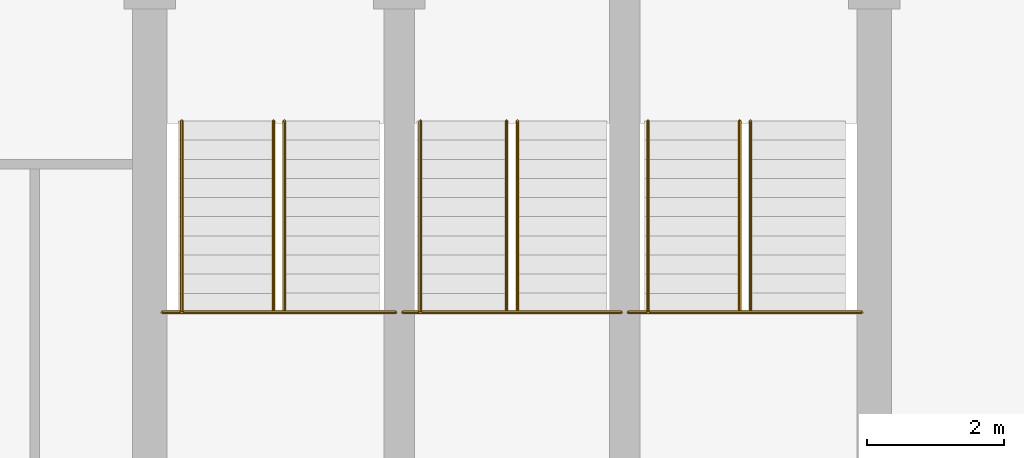
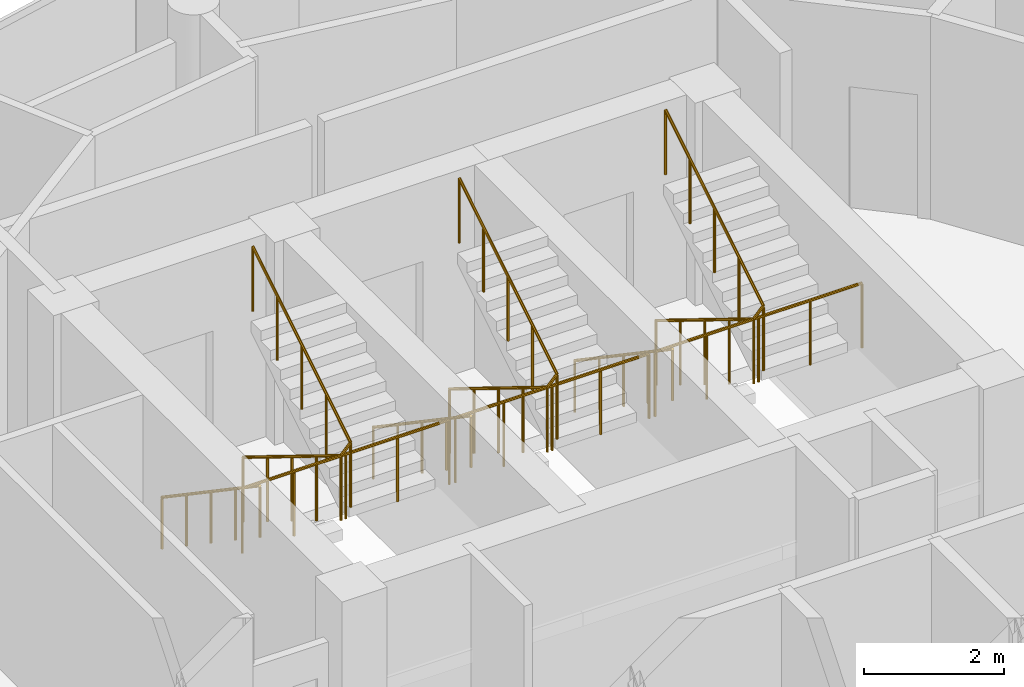
# One storey, part 24 of 24: 9 railings.
"""IFC4 building model written with IfcOpenShell, lengths in metres."""

from ifc_helpers import new_model, si_unit, direction, frame, origin, place, context, subcontext, project, spatial, polyline, outline, extrude, material, type_object, element, save


model = new_model("IFC4")

# Units and contexts
model_context = context("Model", 3, precision=1e-05, world=origin(), true_north=direction((0.0, 1.0)))
body_context = subcontext(model_context, "Body", "Model", "MODEL_VIEW")
ifc_project = project(units=[si_unit("LENGTHUNIT", "METRE"), si_unit("AREAUNIT", "SQUARE_METRE"), si_unit("VOLUMEUNIT", "CUBIC_METRE"), si_unit("PLANEANGLEUNIT", "RADIAN"), si_unit("MASSUNIT", "GRAM", prefix="KILO")], contexts=[model_context])

# Site, building, storey
site_placement = place(None, origin())
site = spatial("IfcSite", under=ifc_project, at=site_placement, CompositionType="ELEMENT")
building_placement = place(site_placement, origin())
building = spatial("IfcBuilding", under=site, at=building_placement, Name="Nuhasar Tower", CompositionType="ELEMENT")
storey_placement = place(building_placement, frame((0.0, 0.0, 267.0)))
storey = spatial("IfcBuildingStorey", under=building, at=storey_placement, Name="L66", CompositionType="ELEMENT", Elevation=267.0)

# Railings
ifc_material_1 = material(Name="Steel S355", Category="steel")
railing_type_1 = type_object("IfcRailingType", Name="RLG-STAIR-GUARD-1150", PredefinedType="GUARDRAIL", material=ifc_material_1)
railing_1_placement = place(storey_placement, frame((33.8798828125, 32.485107421875, 1.89990234375)))
element("IfcRailing", 1, at=railing_1_placement, inside=storey, type_object=railing_type_1, Name="L66 Stair ST-01 Guardrail LND", PredefinedType="GUARDRAIL", context=body_context, shape_type="SweptSolid", body=[
    extrude(outline(polyline([(0.024169921875, 0.0), (0.01708984375, 0.01708984375), (0.0, 0.024169921875), (-0.01708984375, 0.01708984375), (-0.024169921875, 0.0), (-0.01708984375, -0.01708984375), (0.0, -0.024169921875), (0.01708984375, -0.01708984375), (0.024169921875, 0.0)])), frame((0.0, 0.0, 1.1259765625), z_axis=(1.0, 0.0, 0.0), x_axis=(0.0, 1.0, 0.0)), (0.0, 0.0, 1.0), 3.420166015625),
    extrude(outline(polyline([(0.02099609375, 0.0), (0.014892578125, 0.014892578125), (0.0, 0.02099609375), (-0.014892578125, 0.014892578125), (-0.02099609375, 0.0), (-0.014892578125, -0.014892578125), (0.0, -0.02099609375), (0.014892578125, -0.014892578125), (0.02099609375, 0.0)])), origin(), (0.0, 0.0, 1.0), 1.101806640625),
    extrude(outline(polyline([(0.02099609375, 0.0), (0.014892578125, 0.014892578125), (0.0, 0.02099609375), (-0.014892578125, 0.014892578125), (-0.02099609375, 0.0), (-0.014892578125, -0.014892578125), (0.0, -0.02099609375), (0.014892578125, -0.014892578125), (0.02099609375, 0.0)])), frame((0.85498046875, 0.0, 0.0)), (0.0, 0.0, 1.0), 1.101806640625),
    extrude(outline(polyline([(0.02099609375, 0.0), (0.014892578125, 0.014892578125), (0.0, 0.02099609375), (-0.014892578125, 0.014892578125), (-0.02099609375, 0.0), (-0.014892578125, -0.014892578125), (0.0, -0.02099609375), (0.014892578125, -0.014892578125), (0.02099609375, 0.0)])), frame((1.7099609375, 0.0, 0.0)), (0.0, 0.0, 1.0), 1.101806640625),
    extrude(outline(polyline([(0.02099609375, 0.0), (0.014892578125, 0.014892578125), (0.0, 0.02099609375), (-0.014892578125, 0.014892578125), (-0.02099609375, 0.0), (-0.014892578125, -0.014892578125), (0.0, -0.02099609375), (0.014892578125, -0.014892578125), (0.02099609375, 0.0)])), frame((2.565185546875, 0.0, 0.0)), (0.0, 0.0, 1.0), 1.101806640625),
    extrude(outline(polyline([(0.02099609375, 0.0), (0.014892578125, 0.014892578125), (0.0, 0.02099609375), (-0.014892578125, 0.014892578125), (-0.02099609375, 0.0), (-0.014892578125, -0.014892578125), (0.0, -0.02099609375), (0.014892578125, -0.014892578125), (0.02099609375, 0.0)])), frame((3.420166015625, 0.0, 0.0)), (0.0, 0.0, 1.0), 1.101806640625),
])
railing_2_placement = place(storey_placement, frame((35.510009765625, 35.284912109375, 0.173095703125)))
element("IfcRailing", 2, at=railing_2_placement, inside=storey, type_object=railing_type_1, Name="L66 Stair ST-01 Guardrail SLT", PredefinedType="GUARDRAIL", context=body_context, shape_type="SweptSolid", body=[
    extrude(outline(polyline([(0.024169921875, 0.0), (0.01708984375, 0.01708984375), (0.0, 0.024169921875), (-0.01708984375, 0.01708984375), (-0.024169921875, 0.0), (-0.01708984375, -0.01708984375), (0.0, -0.024169921875), (0.01708984375, -0.01708984375), (0.024169921875, 0.0)])), frame((0.0, 0.0, 1.1259765625), z_axis=(0.0, -0.851135498715, 0.524946057064), x_axis=(1.0, 0.0, 0.0)), (0.0, 0.0, 1.0), 3.28955078125),
    extrude(outline(polyline([(0.024169921875, 0.0), (0.01708984375, 0.01708984375), (0.0, 0.024169921875), (-0.01708984375, 0.01708984375), (-0.024169921875, 0.0), (-0.01708984375, -0.01708984375), (0.0, -0.024169921875), (0.01708984375, -0.01708984375), (0.024169921875, 0.0)])), frame((0.0, -2.7998046875, 2.8525390625), z_axis=(0.678581247581, 0.0, 0.734525350435), x_axis=(0.0, 1.0, 0.0)), (0.0, 0.0, 1.0), 0.235595703125),
    extrude(outline(polyline([(0.024169921875, 0.0), (0.01708984375, 0.01708984375), (0.0, 0.024169921875), (-0.01708984375, 0.01708984375), (-0.024169921875, 0.0), (-0.01708984375, -0.01708984375), (0.0, -0.024169921875), (0.01708984375, -0.01708984375), (0.024169921875, 0.0)])), frame((0.159912109375, -2.7998046875, 3.02587890625), z_axis=(0.0, 0.851102337555, 0.524999820009), x_axis=(-1.0, 0.0, 0.0)), (0.0, 0.0, 1.0), 3.28955078125),
    extrude(outline(polyline([(0.02099609375, 0.0), (0.014892578125, 0.014892578125), (0.0, 0.02099609375), (-0.014892578125, 0.014892578125), (-0.02099609375, 0.0), (-0.014892578125, -0.014892578125), (0.0, -0.02099609375), (0.014892578125, -0.014892578125), (0.02099609375, 0.0)])), origin(), (0.0, 0.0, 1.0), 1.101806640625),
    extrude(outline(polyline([(0.02099609375, 0.0), (0.014892578125, 0.014892578125), (0.0, 0.02099609375), (-0.014892578125, 0.014892578125), (-0.02099609375, 0.0), (-0.014892578125, -0.014892578125), (0.0, -0.02099609375), (0.014892578125, -0.014892578125), (0.02099609375, 0.0)])), frame((0.0, -0.699951171875, 0.431640625)), (0.0, 0.0, 1.0), 1.101806640625),
    extrude(outline(polyline([(0.02099609375, 0.0), (0.014892578125, 0.014892578125), (0.0, 0.02099609375), (-0.014892578125, 0.014892578125), (-0.02099609375, 0.0), (-0.014892578125, -0.014892578125), (0.0, -0.02099609375), (0.014892578125, -0.014892578125), (0.02099609375, 0.0)])), frame((0.0, -1.39990234375, 0.86328125)), (0.0, 0.0, 1.0), 1.101806640625),
    extrude(outline(polyline([(0.02099609375, 0.0), (0.014892578125, 0.014892578125), (0.0, 0.02099609375), (-0.014892578125, 0.014892578125), (-0.02099609375, 0.0), (-0.014892578125, -0.014892578125), (0.0, -0.02099609375), (0.014892578125, -0.014892578125), (0.02099609375, 0.0)])), frame((0.0, -2.099853515625, 1.295166015625)), (0.0, 0.0, 1.0), 1.101806640625),
    extrude(outline(polyline([(0.02099609375, 0.0), (0.014892578125, 0.014892578125), (0.0, 0.02099609375), (-0.014892578125, 0.014892578125), (-0.02099609375, 0.0), (-0.014892578125, -0.014892578125), (0.0, -0.02099609375), (0.014892578125, -0.014892578125), (0.02099609375, 0.0)])), frame((0.0, -2.7998046875, 1.726806640625)), (0.0, 0.0, 1.0), 1.101806640625),
    extrude(outline(polyline([(0.02099609375, 0.0), (0.014892578125, 0.014892578125), (0.0, 0.02099609375), (-0.014892578125, 0.014892578125), (-0.02099609375, 0.0), (-0.014892578125, -0.014892578125), (0.0, -0.02099609375), (0.014892578125, -0.014892578125), (0.02099609375, 0.0)])), frame((0.159912109375, -2.7998046875, 1.89990234375)), (0.0, 0.0, 1.0), 1.101806640625),
    extrude(outline(polyline([(0.02099609375, 0.0), (0.014892578125, 0.014892578125), (0.0, 0.02099609375), (-0.014892578125, 0.014892578125), (-0.02099609375, 0.0), (-0.014892578125, -0.014892578125), (0.0, -0.02099609375), (0.014892578125, -0.014892578125), (0.02099609375, 0.0)])), frame((0.159912109375, -2.099853515625, 2.33154296875)), (0.0, 0.0, 1.0), 1.101806640625),
    extrude(outline(polyline([(0.02099609375, 0.0), (0.014892578125, 0.014892578125), (0.0, 0.02099609375), (-0.014892578125, 0.014892578125), (-0.02099609375, 0.0), (-0.014892578125, -0.014892578125), (0.0, -0.02099609375), (0.014892578125, -0.014892578125), (0.02099609375, 0.0)])), frame((0.159912109375, -1.39990234375, 2.763427734375)), (0.0, 0.0, 1.0), 1.101806640625),
    extrude(outline(polyline([(0.02099609375, 0.0), (0.014892578125, 0.014892578125), (0.0, 0.02099609375), (-0.014892578125, 0.014892578125), (-0.02099609375, 0.0), (-0.014892578125, -0.014892578125), (0.0, -0.02099609375), (0.014892578125, -0.014892578125), (0.02099609375, 0.0)])), frame((0.159912109375, -0.699951171875, 3.1953125)), (0.0, 0.0, 1.0), 1.101806640625),
    extrude(outline(polyline([(0.02099609375, 0.0), (0.014892578125, 0.014892578125), (0.0, 0.02099609375), (-0.014892578125, 0.014892578125), (-0.02099609375, 0.0), (-0.014892578125, -0.014892578125), (0.0, -0.02099609375), (0.014892578125, -0.014892578125), (0.02099609375, 0.0)])), frame((0.159912109375, 0.0, 3.626953125)), (0.0, 0.0, 1.0), 1.101806640625),
])
railing_3_placement = place(storey_placement, frame((37.39990234375, 32.485107421875, 1.89990234375)))
element("IfcRailing", 3, at=railing_3_placement, inside=storey, type_object=railing_type_1, Name="L66 Stair ST-03 Guardrail LND", PredefinedType="GUARDRAIL", context=body_context, shape_type="SweptSolid", body=[
    extrude(outline(polyline([(0.024169921875, 0.0), (0.01708984375, 0.01708984375), (0.0, 0.024169921875), (-0.01708984375, 0.01708984375), (-0.024169921875, 0.0), (-0.01708984375, -0.01708984375), (0.0, -0.024169921875), (0.01708984375, -0.01708984375), (0.024169921875, 0.0)])), frame((0.0, 0.0, 1.1259765625), z_axis=(1.0, 0.0, 0.0), x_axis=(0.0, 1.0, 0.0)), (0.0, 0.0, 1.0), 3.2001953125),
    extrude(outline(polyline([(0.02099609375, 0.0), (0.014892578125, 0.014892578125), (0.0, 0.02099609375), (-0.014892578125, 0.014892578125), (-0.02099609375, 0.0), (-0.014892578125, -0.014892578125), (0.0, -0.02099609375), (0.014892578125, -0.014892578125), (0.02099609375, 0.0)])), origin(), (0.0, 0.0, 1.0), 1.101806640625),
    extrude(outline(polyline([(0.02099609375, 0.0), (0.014892578125, 0.014892578125), (0.0, 0.02099609375), (-0.014892578125, 0.014892578125), (-0.02099609375, 0.0), (-0.014892578125, -0.014892578125), (0.0, -0.02099609375), (0.014892578125, -0.014892578125), (0.02099609375, 0.0)])), frame((0.800048828125, 0.0, 0.0)), (0.0, 0.0, 1.0), 1.101806640625),
    extrude(outline(polyline([(0.02099609375, 0.0), (0.014892578125, 0.014892578125), (0.0, 0.02099609375), (-0.014892578125, 0.014892578125), (-0.02099609375, 0.0), (-0.014892578125, -0.014892578125), (0.0, -0.02099609375), (0.014892578125, -0.014892578125), (0.02099609375, 0.0)])), frame((1.60009765625, 0.0, 0.0)), (0.0, 0.0, 1.0), 1.101806640625),
    extrude(outline(polyline([(0.02099609375, 0.0), (0.014892578125, 0.014892578125), (0.0, 0.02099609375), (-0.014892578125, 0.014892578125), (-0.02099609375, 0.0), (-0.014892578125, -0.014892578125), (0.0, -0.02099609375), (0.014892578125, -0.014892578125), (0.02099609375, 0.0)])), frame((2.400146484375, 0.0, 0.0)), (0.0, 0.0, 1.0), 1.101806640625),
    extrude(outline(polyline([(0.02099609375, 0.0), (0.014892578125, 0.014892578125), (0.0, 0.02099609375), (-0.014892578125, 0.014892578125), (-0.02099609375, 0.0), (-0.014892578125, -0.014892578125), (0.0, -0.02099609375), (0.014892578125, -0.014892578125), (0.02099609375, 0.0)])), frame((3.2001953125, 0.0, 0.0)), (0.0, 0.0, 1.0), 1.101806640625),
])
railing_4_placement = place(storey_placement, frame((38.919921875, 35.284912109375, 0.173095703125)))
element("IfcRailing", 4, at=railing_4_placement, inside=storey, type_object=railing_type_1, Name="L66 Stair ST-03 Guardrail SLT", PredefinedType="GUARDRAIL", context=body_context, shape_type="SweptSolid", body=[
    extrude(outline(polyline([(0.024169921875, 0.0), (0.01708984375, 0.01708984375), (0.0, 0.024169921875), (-0.01708984375, 0.01708984375), (-0.024169921875, 0.0), (-0.01708984375, -0.01708984375), (0.0, -0.024169921875), (0.01708984375, -0.01708984375), (0.024169921875, 0.0)])), frame((0.0, 0.0, 1.1259765625), z_axis=(0.0, -0.851135498715, 0.524946057064), x_axis=(1.0, 0.0, 0.0)), (0.0, 0.0, 1.0), 3.28955078125),
    extrude(outline(polyline([(0.024169921875, 0.0), (0.01708984375, 0.01708984375), (0.0, 0.024169921875), (-0.01708984375, 0.01708984375), (-0.024169921875, 0.0), (-0.01708984375, -0.01708984375), (0.0, -0.024169921875), (0.01708984375, -0.01708984375), (0.024169921875, 0.0)])), frame((0.0, -2.7998046875, 2.8525390625), z_axis=(0.679139610055, 0.0, 0.734009121234), x_axis=(0.0, 1.0, 0.0)), (0.0, 0.0, 1.0), 0.23583984375),
    extrude(outline(polyline([(0.024169921875, 0.0), (0.01708984375, 0.01708984375), (0.0, 0.024169921875), (-0.01708984375, 0.01708984375), (-0.024169921875, 0.0), (-0.01708984375, -0.01708984375), (0.0, -0.024169921875), (0.01708984375, -0.01708984375), (0.024169921875, 0.0)])), frame((0.16015625, -2.7998046875, 3.02587890625), z_axis=(0.0, 0.851102337555, 0.524999820009), x_axis=(-1.0, 0.0, 0.0)), (0.0, 0.0, 1.0), 3.28955078125),
    extrude(outline(polyline([(0.02099609375, 0.0), (0.014892578125, 0.014892578125), (0.0, 0.02099609375), (-0.014892578125, 0.014892578125), (-0.02099609375, 0.0), (-0.014892578125, -0.014892578125), (0.0, -0.02099609375), (0.014892578125, -0.014892578125), (0.02099609375, 0.0)])), origin(), (0.0, 0.0, 1.0), 1.101806640625),
    extrude(outline(polyline([(0.02099609375, 0.0), (0.014892578125, 0.014892578125), (0.0, 0.02099609375), (-0.014892578125, 0.014892578125), (-0.02099609375, 0.0), (-0.014892578125, -0.014892578125), (0.0, -0.02099609375), (0.014892578125, -0.014892578125), (0.02099609375, 0.0)])), frame((0.0, -0.699951171875, 0.431640625)), (0.0, 0.0, 1.0), 1.101806640625),
    extrude(outline(polyline([(0.02099609375, 0.0), (0.014892578125, 0.014892578125), (0.0, 0.02099609375), (-0.014892578125, 0.014892578125), (-0.02099609375, 0.0), (-0.014892578125, -0.014892578125), (0.0, -0.02099609375), (0.014892578125, -0.014892578125), (0.02099609375, 0.0)])), frame((0.0, -1.39990234375, 0.86328125)), (0.0, 0.0, 1.0), 1.101806640625),
    extrude(outline(polyline([(0.02099609375, 0.0), (0.014892578125, 0.014892578125), (0.0, 0.02099609375), (-0.014892578125, 0.014892578125), (-0.02099609375, 0.0), (-0.014892578125, -0.014892578125), (0.0, -0.02099609375), (0.014892578125, -0.014892578125), (0.02099609375, 0.0)])), frame((0.0, -2.099853515625, 1.295166015625)), (0.0, 0.0, 1.0), 1.101806640625),
    extrude(outline(polyline([(0.02099609375, 0.0), (0.014892578125, 0.014892578125), (0.0, 0.02099609375), (-0.014892578125, 0.014892578125), (-0.02099609375, 0.0), (-0.014892578125, -0.014892578125), (0.0, -0.02099609375), (0.014892578125, -0.014892578125), (0.02099609375, 0.0)])), frame((0.0, -2.7998046875, 1.726806640625)), (0.0, 0.0, 1.0), 1.101806640625),
    extrude(outline(polyline([(0.02099609375, 0.0), (0.014892578125, 0.014892578125), (0.0, 0.02099609375), (-0.014892578125, 0.014892578125), (-0.02099609375, 0.0), (-0.014892578125, -0.014892578125), (0.0, -0.02099609375), (0.014892578125, -0.014892578125), (0.02099609375, 0.0)])), frame((0.16015625, -2.7998046875, 1.89990234375)), (0.0, 0.0, 1.0), 1.101806640625),
    extrude(outline(polyline([(0.02099609375, 0.0), (0.014892578125, 0.014892578125), (0.0, 0.02099609375), (-0.014892578125, 0.014892578125), (-0.02099609375, 0.0), (-0.014892578125, -0.014892578125), (0.0, -0.02099609375), (0.014892578125, -0.014892578125), (0.02099609375, 0.0)])), frame((0.16015625, -2.099853515625, 2.33154296875)), (0.0, 0.0, 1.0), 1.101806640625),
    extrude(outline(polyline([(0.02099609375, 0.0), (0.014892578125, 0.014892578125), (0.0, 0.02099609375), (-0.014892578125, 0.014892578125), (-0.02099609375, 0.0), (-0.014892578125, -0.014892578125), (0.0, -0.02099609375), (0.014892578125, -0.014892578125), (0.02099609375, 0.0)])), frame((0.16015625, -1.39990234375, 2.763427734375)), (0.0, 0.0, 1.0), 1.101806640625),
    extrude(outline(polyline([(0.02099609375, 0.0), (0.014892578125, 0.014892578125), (0.0, 0.02099609375), (-0.014892578125, 0.014892578125), (-0.02099609375, 0.0), (-0.014892578125, -0.014892578125), (0.0, -0.02099609375), (0.014892578125, -0.014892578125), (0.02099609375, 0.0)])), frame((0.16015625, -0.699951171875, 3.1953125)), (0.0, 0.0, 1.0), 1.101806640625),
    extrude(outline(polyline([(0.02099609375, 0.0), (0.014892578125, 0.014892578125), (0.0, 0.02099609375), (-0.014892578125, 0.014892578125), (-0.02099609375, 0.0), (-0.014892578125, -0.014892578125), (0.0, -0.02099609375), (0.014892578125, -0.014892578125), (0.02099609375, 0.0)])), frame((0.16015625, 0.0, 3.626953125)), (0.0, 0.0, 1.0), 1.101806640625),
])
railing_5_placement = place(storey_placement, frame((40.699951171875, 32.485107421875, 1.89990234375)))
element("IfcRailing", 5, at=railing_5_placement, inside=storey, type_object=railing_type_1, Name="L66 Stair ST-02 Guardrail LND", PredefinedType="GUARDRAIL", context=body_context, shape_type="SweptSolid", body=[
    extrude(outline(polyline([(0.024169921875, 0.0), (0.01708984375, 0.01708984375), (0.0, 0.024169921875), (-0.01708984375, 0.01708984375), (-0.024169921875, 0.0), (-0.01708984375, -0.01708984375), (0.0, -0.024169921875), (0.01708984375, -0.01708984375), (0.024169921875, 0.0)])), frame((0.0, 0.0, 1.1259765625), z_axis=(1.0, 0.0, 0.0), x_axis=(0.0, 1.0, 0.0)), (0.0, 0.0, 1.0), 3.420166015625),
    extrude(outline(polyline([(0.02099609375, 0.0), (0.014892578125, 0.014892578125), (0.0, 0.02099609375), (-0.014892578125, 0.014892578125), (-0.02099609375, 0.0), (-0.014892578125, -0.014892578125), (0.0, -0.02099609375), (0.014892578125, -0.014892578125), (0.02099609375, 0.0)])), origin(), (0.0, 0.0, 1.0), 1.101806640625),
    extrude(outline(polyline([(0.02099609375, 0.0), (0.014892578125, 0.014892578125), (0.0, 0.02099609375), (-0.014892578125, 0.014892578125), (-0.02099609375, 0.0), (-0.014892578125, -0.014892578125), (0.0, -0.02099609375), (0.014892578125, -0.014892578125), (0.02099609375, 0.0)])), frame((0.85498046875, 0.0, 0.0)), (0.0, 0.0, 1.0), 1.101806640625),
    extrude(outline(polyline([(0.02099609375, 0.0), (0.014892578125, 0.014892578125), (0.0, 0.02099609375), (-0.014892578125, 0.014892578125), (-0.02099609375, 0.0), (-0.014892578125, -0.014892578125), (0.0, -0.02099609375), (0.014892578125, -0.014892578125), (0.02099609375, 0.0)])), frame((1.7099609375, 0.0, 0.0)), (0.0, 0.0, 1.0), 1.101806640625),
    extrude(outline(polyline([(0.02099609375, 0.0), (0.014892578125, 0.014892578125), (0.0, 0.02099609375), (-0.014892578125, 0.014892578125), (-0.02099609375, 0.0), (-0.014892578125, -0.014892578125), (0.0, -0.02099609375), (0.014892578125, -0.014892578125), (0.02099609375, 0.0)])), frame((2.565185546875, 0.0, 0.0)), (0.0, 0.0, 1.0), 1.101806640625),
    extrude(outline(polyline([(0.02099609375, 0.0), (0.014892578125, 0.014892578125), (0.0, 0.02099609375), (-0.014892578125, 0.014892578125), (-0.02099609375, 0.0), (-0.014892578125, -0.014892578125), (0.0, -0.02099609375), (0.014892578125, -0.014892578125), (0.02099609375, 0.0)])), frame((3.420166015625, 0.0, 0.0)), (0.0, 0.0, 1.0), 1.101806640625),
])
railing_6_placement = place(storey_placement, frame((42.330078125, 35.284912109375, 0.173095703125)))
element("IfcRailing", 6, at=railing_6_placement, inside=storey, type_object=railing_type_1, Name="L66 Stair ST-02 Guardrail SLT", PredefinedType="GUARDRAIL", context=body_context, shape_type="SweptSolid", body=[
    extrude(outline(polyline([(0.024169921875, 0.0), (0.01708984375, 0.01708984375), (0.0, 0.024169921875), (-0.01708984375, 0.01708984375), (-0.024169921875, 0.0), (-0.01708984375, -0.01708984375), (0.0, -0.024169921875), (0.01708984375, -0.01708984375), (0.024169921875, 0.0)])), frame((0.0, 0.0, 1.1259765625), z_axis=(0.0, -0.851135498715, 0.524946057064), x_axis=(1.0, 0.0, 0.0)), (0.0, 0.0, 1.0), 3.28955078125),
    extrude(outline(polyline([(0.024169921875, 0.0), (0.01708984375, 0.01708984375), (0.0, 0.024169921875), (-0.01708984375, 0.01708984375), (-0.024169921875, 0.0), (-0.01708984375, -0.01708984375), (0.0, -0.024169921875), (0.01708984375, -0.01708984375), (0.024169921875, 0.0)])), frame((0.0, -2.7998046875, 2.8525390625), z_axis=(0.678581247581, 0.0, 0.734525350435), x_axis=(0.0, 1.0, 0.0)), (0.0, 0.0, 1.0), 0.235595703125),
    extrude(outline(polyline([(0.024169921875, 0.0), (0.01708984375, 0.01708984375), (0.0, 0.024169921875), (-0.01708984375, 0.01708984375), (-0.024169921875, 0.0), (-0.01708984375, -0.01708984375), (0.0, -0.024169921875), (0.01708984375, -0.01708984375), (0.024169921875, 0.0)])), frame((0.159912109375, -2.7998046875, 3.02587890625), z_axis=(0.0, 0.851102337555, 0.524999820009), x_axis=(-1.0, 0.0, 0.0)), (0.0, 0.0, 1.0), 3.28955078125),
    extrude(outline(polyline([(0.02099609375, 0.0), (0.014892578125, 0.014892578125), (0.0, 0.02099609375), (-0.014892578125, 0.014892578125), (-0.02099609375, 0.0), (-0.014892578125, -0.014892578125), (0.0, -0.02099609375), (0.014892578125, -0.014892578125), (0.02099609375, 0.0)])), origin(), (0.0, 0.0, 1.0), 1.101806640625),
    extrude(outline(polyline([(0.02099609375, 0.0), (0.014892578125, 0.014892578125), (0.0, 0.02099609375), (-0.014892578125, 0.014892578125), (-0.02099609375, 0.0), (-0.014892578125, -0.014892578125), (0.0, -0.02099609375), (0.014892578125, -0.014892578125), (0.02099609375, 0.0)])), frame((0.0, -0.699951171875, 0.431640625)), (0.0, 0.0, 1.0), 1.101806640625),
    extrude(outline(polyline([(0.02099609375, 0.0), (0.014892578125, 0.014892578125), (0.0, 0.02099609375), (-0.014892578125, 0.014892578125), (-0.02099609375, 0.0), (-0.014892578125, -0.014892578125), (0.0, -0.02099609375), (0.014892578125, -0.014892578125), (0.02099609375, 0.0)])), frame((0.0, -1.39990234375, 0.86328125)), (0.0, 0.0, 1.0), 1.101806640625),
    extrude(outline(polyline([(0.02099609375, 0.0), (0.014892578125, 0.014892578125), (0.0, 0.02099609375), (-0.014892578125, 0.014892578125), (-0.02099609375, 0.0), (-0.014892578125, -0.014892578125), (0.0, -0.02099609375), (0.014892578125, -0.014892578125), (0.02099609375, 0.0)])), frame((0.0, -2.099853515625, 1.295166015625)), (0.0, 0.0, 1.0), 1.101806640625),
    extrude(outline(polyline([(0.02099609375, 0.0), (0.014892578125, 0.014892578125), (0.0, 0.02099609375), (-0.014892578125, 0.014892578125), (-0.02099609375, 0.0), (-0.014892578125, -0.014892578125), (0.0, -0.02099609375), (0.014892578125, -0.014892578125), (0.02099609375, 0.0)])), frame((0.0, -2.7998046875, 1.726806640625)), (0.0, 0.0, 1.0), 1.101806640625),
    extrude(outline(polyline([(0.02099609375, 0.0), (0.014892578125, 0.014892578125), (0.0, 0.02099609375), (-0.014892578125, 0.014892578125), (-0.02099609375, 0.0), (-0.014892578125, -0.014892578125), (0.0, -0.02099609375), (0.014892578125, -0.014892578125), (0.02099609375, 0.0)])), frame((0.159912109375, -2.7998046875, 1.89990234375)), (0.0, 0.0, 1.0), 1.101806640625),
    extrude(outline(polyline([(0.02099609375, 0.0), (0.014892578125, 0.014892578125), (0.0, 0.02099609375), (-0.014892578125, 0.014892578125), (-0.02099609375, 0.0), (-0.014892578125, -0.014892578125), (0.0, -0.02099609375), (0.014892578125, -0.014892578125), (0.02099609375, 0.0)])), frame((0.159912109375, -2.099853515625, 2.33154296875)), (0.0, 0.0, 1.0), 1.101806640625),
    extrude(outline(polyline([(0.02099609375, 0.0), (0.014892578125, 0.014892578125), (0.0, 0.02099609375), (-0.014892578125, 0.014892578125), (-0.02099609375, 0.0), (-0.014892578125, -0.014892578125), (0.0, -0.02099609375), (0.014892578125, -0.014892578125), (0.02099609375, 0.0)])), frame((0.159912109375, -1.39990234375, 2.763427734375)), (0.0, 0.0, 1.0), 1.101806640625),
    extrude(outline(polyline([(0.02099609375, 0.0), (0.014892578125, 0.014892578125), (0.0, 0.02099609375), (-0.014892578125, 0.014892578125), (-0.02099609375, 0.0), (-0.014892578125, -0.014892578125), (0.0, -0.02099609375), (0.014892578125, -0.014892578125), (0.02099609375, 0.0)])), frame((0.159912109375, -0.699951171875, 3.1953125)), (0.0, 0.0, 1.0), 1.101806640625),
    extrude(outline(polyline([(0.02099609375, 0.0), (0.014892578125, 0.014892578125), (0.0, 0.02099609375), (-0.014892578125, 0.014892578125), (-0.02099609375, 0.0), (-0.014892578125, -0.014892578125), (0.0, -0.02099609375), (0.014892578125, -0.014892578125), (0.02099609375, 0.0)])), frame((0.159912109375, 0.0, 3.626953125)), (0.0, 0.0, 1.0), 1.101806640625),
])
ifc_material_2 = material(Name="Stainless Steel 316L", Category="steel")
railing_type_2 = type_object("IfcRailingType", Name="RLG-STAIR-HAND-920", PredefinedType="HANDRAIL", material=ifc_material_2)
railing_7_placement = place(storey_placement, frame((34.169921875, 35.284912109375, 0.173095703125)))
element("IfcRailing", 7, at=railing_7_placement, inside=storey, type_object=railing_type_2, Name="L66 Stair ST-01 Handrail HND1", PredefinedType="HANDRAIL", context=body_context, shape_type="SweptSolid", body=[
    extrude(outline(polyline([(0.024169921875, 0.0), (0.01708984375, 0.01708984375), (0.0, 0.024169921875), (-0.01708984375, 0.01708984375), (-0.024169921875, 0.0), (-0.01708984375, -0.01708984375), (0.0, -0.024169921875), (0.01708984375, -0.01708984375), (0.024169921875, 0.0)])), frame((0.0, 0.0, 0.89599609375), z_axis=(0.0, -0.827470985049, 0.561508476251), x_axis=(1.0, 0.0, 0.0)), (0.0, 0.0, 1.0), 3.383544921875),
    extrude(outline(polyline([(0.02099609375, 0.0), (0.014892578125, 0.014892578125), (0.0, 0.02099609375), (-0.014892578125, 0.014892578125), (-0.02099609375, 0.0), (-0.014892578125, -0.014892578125), (0.0, -0.02099609375), (0.014892578125, -0.014892578125), (0.02099609375, 0.0)])), origin(), (0.0, 0.0, 1.0), 0.871826171875),
    extrude(outline(polyline([(0.02099609375, 0.0), (0.014892578125, 0.014892578125), (0.0, 0.02099609375), (-0.014892578125, 0.014892578125), (-0.02099609375, 0.0), (-0.014892578125, -0.014892578125), (0.0, -0.02099609375), (0.014892578125, -0.014892578125), (0.02099609375, 0.0)])), frame((0.0, -0.699951171875, 0.47509765625)), (0.0, 0.0, 1.0), 0.871826171875),
    extrude(outline(polyline([(0.02099609375, 0.0), (0.014892578125, 0.014892578125), (0.0, 0.02099609375), (-0.014892578125, 0.014892578125), (-0.02099609375, 0.0), (-0.014892578125, -0.014892578125), (0.0, -0.02099609375), (0.014892578125, -0.014892578125), (0.02099609375, 0.0)])), frame((0.0, -1.39990234375, 0.949951171875)), (0.0, 0.0, 1.0), 0.871826171875),
    extrude(outline(polyline([(0.02099609375, 0.0), (0.014892578125, 0.014892578125), (0.0, 0.02099609375), (-0.014892578125, 0.014892578125), (-0.02099609375, 0.0), (-0.014892578125, -0.014892578125), (0.0, -0.02099609375), (0.014892578125, -0.014892578125), (0.02099609375, 0.0)])), frame((0.0, -2.099853515625, 1.4248046875)), (0.0, 0.0, 1.0), 0.871826171875),
    extrude(outline(polyline([(0.02099609375, 0.0), (0.014892578125, 0.014892578125), (0.0, 0.02099609375), (-0.014892578125, 0.014892578125), (-0.02099609375, 0.0), (-0.014892578125, -0.014892578125), (0.0, -0.02099609375), (0.014892578125, -0.014892578125), (0.02099609375, 0.0)])), frame((0.0, -2.7998046875, 1.89990234375)), (0.0, 0.0, 1.0), 0.871826171875),
])
railing_8_placement = place(storey_placement, frame((37.659912109375, 35.284912109375, 0.173095703125)))
element("IfcRailing", 8, at=railing_8_placement, inside=storey, type_object=railing_type_2, Name="L66 Stair ST-03 Handrail HND1", PredefinedType="HANDRAIL", context=body_context, shape_type="SweptSolid", body=[
    extrude(outline(polyline([(0.024169921875, 0.0), (0.01708984375, 0.01708984375), (0.0, 0.024169921875), (-0.01708984375, 0.01708984375), (-0.024169921875, 0.0), (-0.01708984375, -0.01708984375), (0.0, -0.024169921875), (0.01708984375, -0.01708984375), (0.024169921875, 0.0)])), frame((0.0, 0.0, 0.89599609375), z_axis=(0.0, -0.827470985049, 0.561508476251), x_axis=(1.0, 0.0, 0.0)), (0.0, 0.0, 1.0), 3.383544921875),
    extrude(outline(polyline([(0.02099609375, 0.0), (0.014892578125, 0.014892578125), (0.0, 0.02099609375), (-0.014892578125, 0.014892578125), (-0.02099609375, 0.0), (-0.014892578125, -0.014892578125), (0.0, -0.02099609375), (0.014892578125, -0.014892578125), (0.02099609375, 0.0)])), origin(), (0.0, 0.0, 1.0), 0.871826171875),
    extrude(outline(polyline([(0.02099609375, 0.0), (0.014892578125, 0.014892578125), (0.0, 0.02099609375), (-0.014892578125, 0.014892578125), (-0.02099609375, 0.0), (-0.014892578125, -0.014892578125), (0.0, -0.02099609375), (0.014892578125, -0.014892578125), (0.02099609375, 0.0)])), frame((0.0, -0.699951171875, 0.47509765625)), (0.0, 0.0, 1.0), 0.871826171875),
    extrude(outline(polyline([(0.02099609375, 0.0), (0.014892578125, 0.014892578125), (0.0, 0.02099609375), (-0.014892578125, 0.014892578125), (-0.02099609375, 0.0), (-0.014892578125, -0.014892578125), (0.0, -0.02099609375), (0.014892578125, -0.014892578125), (0.02099609375, 0.0)])), frame((0.0, -1.39990234375, 0.949951171875)), (0.0, 0.0, 1.0), 0.871826171875),
    extrude(outline(polyline([(0.02099609375, 0.0), (0.014892578125, 0.014892578125), (0.0, 0.02099609375), (-0.014892578125, 0.014892578125), (-0.02099609375, 0.0), (-0.014892578125, -0.014892578125), (0.0, -0.02099609375), (0.014892578125, -0.014892578125), (0.02099609375, 0.0)])), frame((0.0, -2.099853515625, 1.4248046875)), (0.0, 0.0, 1.0), 0.871826171875),
    extrude(outline(polyline([(0.02099609375, 0.0), (0.014892578125, 0.014892578125), (0.0, 0.02099609375), (-0.014892578125, 0.014892578125), (-0.02099609375, 0.0), (-0.014892578125, -0.014892578125), (0.0, -0.02099609375), (0.014892578125, -0.014892578125), (0.02099609375, 0.0)])), frame((0.0, -2.7998046875, 1.89990234375)), (0.0, 0.0, 1.0), 0.871826171875),
])
railing_9_placement = place(storey_placement, frame((40.989990234375, 35.284912109375, 0.173095703125)))
element("IfcRailing", 9, at=railing_9_placement, inside=storey, type_object=railing_type_2, Name="L66 Stair ST-02 Handrail HND1", PredefinedType="HANDRAIL", context=body_context, shape_type="SweptSolid", body=[
    extrude(outline(polyline([(0.024169921875, 0.0), (0.01708984375, 0.01708984375), (0.0, 0.024169921875), (-0.01708984375, 0.01708984375), (-0.024169921875, 0.0), (-0.01708984375, -0.01708984375), (0.0, -0.024169921875), (0.01708984375, -0.01708984375), (0.024169921875, 0.0)])), frame((0.0, 0.0, 0.89599609375), z_axis=(0.0, -0.827470985049, 0.561508476251), x_axis=(1.0, 0.0, 0.0)), (0.0, 0.0, 1.0), 3.383544921875),
    extrude(outline(polyline([(0.02099609375, 0.0), (0.014892578125, 0.014892578125), (0.0, 0.02099609375), (-0.014892578125, 0.014892578125), (-0.02099609375, 0.0), (-0.014892578125, -0.014892578125), (0.0, -0.02099609375), (0.014892578125, -0.014892578125), (0.02099609375, 0.0)])), origin(), (0.0, 0.0, 1.0), 0.871826171875),
    extrude(outline(polyline([(0.02099609375, 0.0), (0.014892578125, 0.014892578125), (0.0, 0.02099609375), (-0.014892578125, 0.014892578125), (-0.02099609375, 0.0), (-0.014892578125, -0.014892578125), (0.0, -0.02099609375), (0.014892578125, -0.014892578125), (0.02099609375, 0.0)])), frame((0.0, -0.699951171875, 0.47509765625)), (0.0, 0.0, 1.0), 0.871826171875),
    extrude(outline(polyline([(0.02099609375, 0.0), (0.014892578125, 0.014892578125), (0.0, 0.02099609375), (-0.014892578125, 0.014892578125), (-0.02099609375, 0.0), (-0.014892578125, -0.014892578125), (0.0, -0.02099609375), (0.014892578125, -0.014892578125), (0.02099609375, 0.0)])), frame((0.0, -1.39990234375, 0.949951171875)), (0.0, 0.0, 1.0), 0.871826171875),
    extrude(outline(polyline([(0.02099609375, 0.0), (0.014892578125, 0.014892578125), (0.0, 0.02099609375), (-0.014892578125, 0.014892578125), (-0.02099609375, 0.0), (-0.014892578125, -0.014892578125), (0.0, -0.02099609375), (0.014892578125, -0.014892578125), (0.02099609375, 0.0)])), frame((0.0, -2.099853515625, 1.4248046875)), (0.0, 0.0, 1.0), 0.871826171875),
    extrude(outline(polyline([(0.02099609375, 0.0), (0.014892578125, 0.014892578125), (0.0, 0.02099609375), (-0.014892578125, 0.014892578125), (-0.02099609375, 0.0), (-0.014892578125, -0.014892578125), (0.0, -0.02099609375), (0.014892578125, -0.014892578125), (0.02099609375, 0.0)])), frame((0.0, -2.7998046875, 1.89990234375)), (0.0, 0.0, 1.0), 0.871826171875),
])

save(model, "model.ifc")
